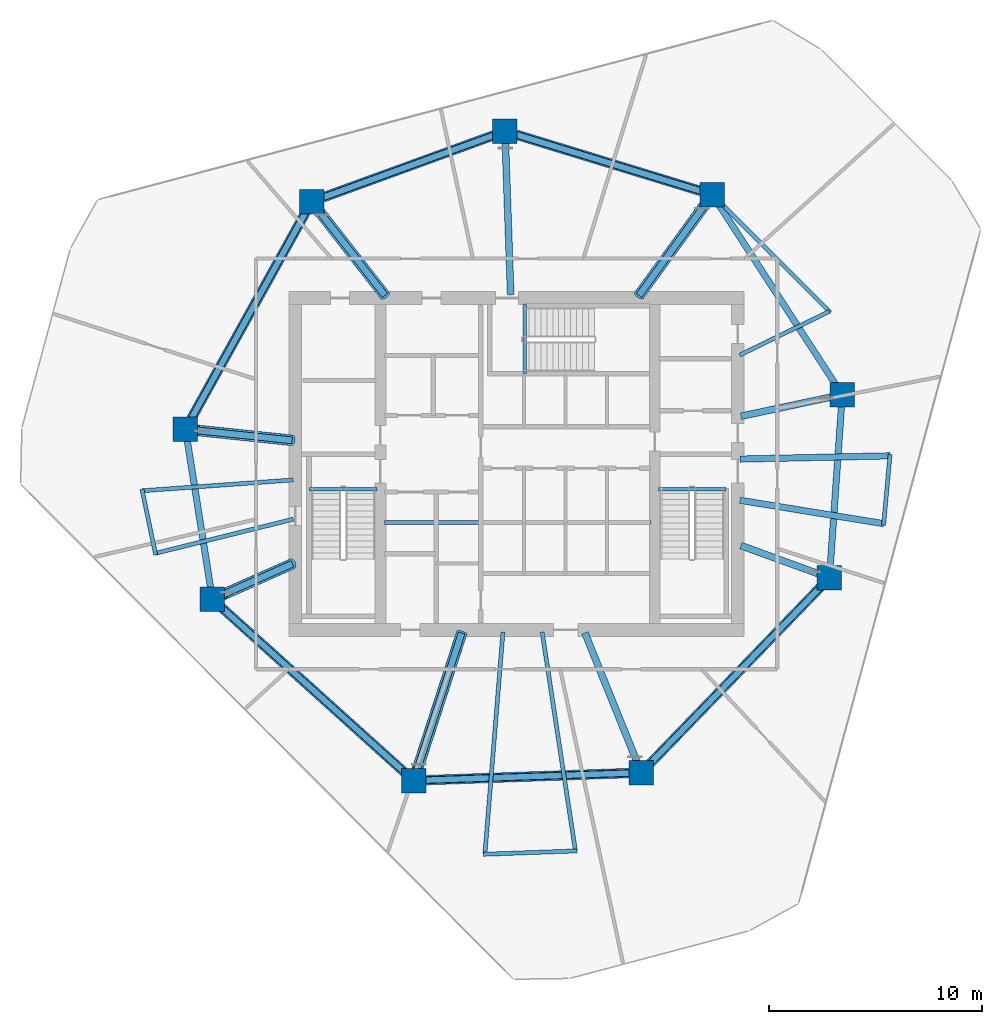
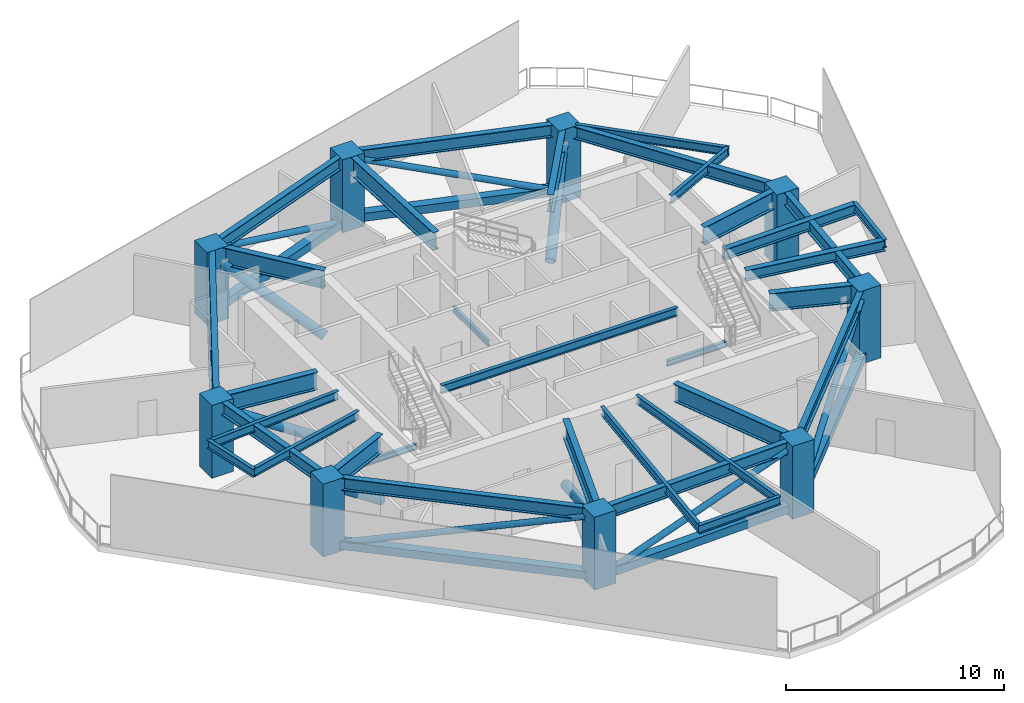
# One storey, part 1 of 7: 33 beams, 17 members, 9 columns.
"""IFC4 building model written with IfcOpenShell, lengths in metres."""

from ifc_helpers import new_model, si_unit, direction, frame, origin, origin_2d, place, context, subcontext, project, spatial, rectangle, hollow_rectangle, hollow_circle, i_section, extrude, material, material_profile, profile_set, type_object, element, save


model = new_model("IFC4")

# Units and contexts
model_context = context("Model", 3, precision=1e-05, world=origin(), true_north=direction((0.0, 1.0)))
body_context = subcontext(model_context, "Body", "Model", "MODEL_VIEW")
ifc_project = project(units=[si_unit("LENGTHUNIT", "METRE"), si_unit("AREAUNIT", "SQUARE_METRE"), si_unit("VOLUMEUNIT", "CUBIC_METRE"), si_unit("PLANEANGLEUNIT", "RADIAN"), si_unit("MASSUNIT", "GRAM", prefix="KILO")], contexts=[model_context])

# Site, building, storey
site_placement = place(None, origin())
site = spatial("IfcSite", under=ifc_project, at=site_placement, CompositionType="ELEMENT")
building_placement = place(site_placement, origin())
building = spatial("IfcBuilding", under=site, at=building_placement, Name="Qarnah Convention Tower", CompositionType="ELEMENT")
storey_placement = place(building_placement, frame((0.0, 0.0, 121.199951171875)))
storey = spatial("IfcBuildingStorey", under=building, at=storey_placement, Name="L32", CompositionType="ELEMENT", Elevation=121.199951171875)

# Columns
ifc_material_1 = material(Name="Concrete C60/75", Category="concrete")
ifc_material_profile_1 = material_profile(ifc_material_1, rectangle(XDim=1.14990234375, YDim=1.14990234375, at=origin_2d()), Name="RC-COL-1150X1150")
ifc_profile_set_1 = profile_set([ifc_material_profile_1], Name="Concrete C60/75")
column_type = type_object("IfcColumnType", Name="COL-Z2-1150", PredefinedType="COLUMN", material=ifc_profile_set_1)
for number, where, z_axis, x_axis, name in (
    (1, (52.508056640625, 29.654052734375, 0.0), (0.0, 0.0, 1.0), (1.0, 0.0, 0.0), "L32 plumb column PC-Z2-01"),
    (2, (46.39892578125, 39.06103515625, 0.0), (0.0, 0.0, 1.0), (1.0, 0.0, 0.0), "L32 plumb column PC-Z2-02"),
    (3, (36.654052734375, 42.0400390625, 0.0), (0.0, 0.0, 1.0), (1.0, 0.0, 0.0), "L32 plumb column PC-Z2-03"),
    (4, (27.56494140625, 38.73193359375, 0.0), (0.0, 0.0, 1.0), (1.0, 0.0, 0.0), "L32 plumb column PC-Z2-04"),
    (5, (21.635986328125, 28.035888671875, 0.0), (0.0, 0.0, 1.0), (1.0, 0.0, 0.0), "L32 plumb column PC-Z2-05"),
    (6, (22.903076171875, 20.034912109375, 0.0), (0.0, 0.0, 1.0), (1.0, 0.0, 0.0), "L32 plumb column PC-Z2-06"),
    (7, (32.364013671875, 11.51611328125, 0.0), (0.0, 0.0, 1.0), (1.0, 0.0, 0.0), "L32 plumb column PC-Z2-07"),
    (8, (43.06298828125, 11.889892578125, 0.0), (0.0, 0.0, 1.0), (1.0, 0.0, 0.0), "L32 plumb column PC-Z2-08"),
    (9, (51.906005859375, 21.047119140625, 0.0), (0.0, 0.0, 1.0), (1.0, 0.0, 0.0), "L32 plumb column PC-Z2-09"),
):
    element("IfcColumn", number, at=place(storey_placement, frame(where, z_axis=z_axis, x_axis=x_axis)), inside=storey, type_object=column_type, Name=name, PredefinedType="COLUMN", context=body_context, shape_type="SweptSolid", body=[
        extrude(rectangle(XDim=1.14990234375, YDim=1.14990234375, at=origin_2d()), origin(), (0.0, 0.0, 1.0), 4.080078125),
    ])

# Beams
ifc_material_2 = material(Name="Structural steel S355JR", Category="steel")
ifc_material_profile_2 = material_profile(ifc_material_2, i_section(OverallWidth=0.300048828125, OverallDepth=0.60009765625, WebThickness=0.01611328125, FlangeThickness=0.030029296875, at=origin_2d()), Name="HEB600")
ifc_profile_set_2 = profile_set([ifc_material_profile_2], Name="Structural steel S355JR")
beam_type_1 = type_object("IfcBeamType", Name="BM-CANT-HEB600", PredefinedType="BEAM", material=ifc_profile_set_2)
beam_1_placement = place(storey_placement, frame((47.698974609375, 24.69091796875, 3.780029296875), z_axis=(0.987033036495, -0.160517241654, 0.0), x_axis=(0.160517241654, 0.987033036495, 0.0)))
element("IfcBeam", 10, at=beam_1_placement, inside=storey, type_object=beam_type_1, Name="L32 beam BM-L32-CNT-04-1", PredefinedType="BEAM", context=body_context, shape_type="SweptSolid", body=[
    extrude(i_section(OverallWidth=0.300048828125, OverallDepth=0.60009765625, WebThickness=0.01611328125, FlangeThickness=0.030029296875, at=origin_2d()), origin(), (0.0, 0.0, 1.0), 6.845947265625),
])
beam_2_placement = place(storey_placement, frame((47.699951171875, 26.6279296875, 3.780029296875), z_axis=(0.99976729235, 0.021572230912, 0.0), x_axis=(-0.021572230912, 0.99976729235, 0.0)))
element("IfcBeam", 11, at=beam_2_placement, inside=storey, type_object=beam_type_1, Name="L32 beam BM-L32-CNT-04-2", PredefinedType="BEAM", context=body_context, shape_type="SweptSolid", body=[
    extrude(i_section(OverallWidth=0.300048828125, OverallDepth=0.60009765625, WebThickness=0.01611328125, FlangeThickness=0.030029296875, at=origin_2d()), origin(), (0.0, 0.0, 1.0), 7.05078125),
])
ifc_material_profile_3 = material_profile(ifc_material_2, i_section(OverallWidth=0.19189453125, OverallDepth=0.464111328125, WebThickness=0.010986328125, FlangeThickness=0.01806640625, at=origin_2d()), Name="W460X89")
ifc_profile_set_3 = profile_set([ifc_material_profile_3], Name="Structural steel S355JR")
beam_type_2 = type_object("IfcBeamType", Name="BM-CANT-W460A", PredefinedType="BEAM", material=ifc_profile_set_3)
beam_3_placement = place(storey_placement, frame((30.97998046875, 23.64990234375, 3.84814453125), z_axis=(1.0, 0.0, 0.0), x_axis=(0.0, 1.0, 0.0)))
element("IfcBeam", 12, at=beam_3_placement, inside=storey, type_object=beam_type_2, Name="L32 beam BM-L32-KC1", PredefinedType="BEAM", context=body_context, shape_type="SweptSolid", body=[
    extrude(i_section(OverallWidth=0.19189453125, OverallDepth=0.464111328125, WebThickness=0.010986328125, FlangeThickness=0.01806640625, at=origin_2d()), origin(), (0.0, 0.0, 1.0), 12.5400390625),
])
beam_4_placement = place(storey_placement, frame((47.68994140625, 31.51611328125, 3.84814453125), z_axis=(0.898872044655, 0.438211190339, 0.0), x_axis=(-0.438211190339, 0.898872044655, 0.0)))
element("IfcBeam", 13, at=beam_4_placement, inside=storey, type_object=beam_type_2, Name="L32 beam BM-L32-CNT-01-2", PredefinedType="BEAM", context=body_context, shape_type="SweptSolid", body=[
    extrude(i_section(OverallWidth=0.19189453125, OverallDepth=0.464111328125, WebThickness=0.010986328125, FlangeThickness=0.01806640625, at=origin_2d()), origin(), (0.0, 0.0, 1.0), 4.687255859375),
])
beam_5_placement = place(storey_placement, frame((51.952880859375, 33.52099609375, 3.84814453125), z_axis=(-0.707978220507, 0.706234266577, 0.0), x_axis=(-0.706234266577, -0.707978220507, 0.0)))
element("IfcBeam", 14, at=beam_5_placement, inside=storey, type_object=beam_type_2, Name="L32 spandrel BM-L32-CTIE-01", PredefinedType="SPANDREL", context=body_context, shape_type="SweptSolid", body=[
    extrude(i_section(OverallWidth=0.19189453125, OverallDepth=0.464111328125, WebThickness=0.010986328125, FlangeThickness=0.01806640625, at=origin_2d()), origin(), (0.0, 0.0, 1.0), 7.279541015625),
])
beam_6_placement = place(storey_placement, frame((26.699951171875, 25.64794921875, 3.84814453125), z_axis=(-0.997435472078, -0.071571496, 0.0), x_axis=(0.071571496, -0.997435472078, 0.0)))
element("IfcBeam", 15, at=beam_6_placement, inside=storey, type_object=beam_type_2, Name="L32 beam BM-L32-CNT-02-1", PredefinedType="BEAM", context=body_context, shape_type="SweptSolid", body=[
    extrude(i_section(OverallWidth=0.19189453125, OverallDepth=0.464111328125, WebThickness=0.010986328125, FlangeThickness=0.01806640625, at=origin_2d()), origin(), (0.0, 0.0, 1.0), 7.1123046875),
])
beam_7_placement = place(storey_placement, frame((26.702880859375, 23.802001953125, 3.84814453125), z_axis=(-0.970746071827, -0.240108442237, 0.0), x_axis=(0.240108442237, -0.970746071827, 0.0)))
element("IfcBeam", 16, at=beam_7_placement, inside=storey, type_object=beam_type_2, Name="L32 beam BM-L32-CNT-02-2", PredefinedType="BEAM", context=body_context, shape_type="SweptSolid", body=[
    extrude(i_section(OverallWidth=0.19189453125, OverallDepth=0.464111328125, WebThickness=0.010986328125, FlangeThickness=0.01806640625, at=origin_2d()), origin(), (0.0, 0.0, 1.0), 6.67626953125),
])
beam_8_placement = place(storey_placement, frame((19.592041015625, 25.2080078125, 3.84814453125), z_axis=(0.204797426564, -0.97880437988, 0.0), x_axis=(0.97880437988, 0.204797426564, 0.0)))
element("IfcBeam", 17, at=beam_8_placement, inside=storey, type_object=beam_type_2, Name="L32 spandrel BM-L32-CTIE-02", PredefinedType="SPANDREL", context=body_context, shape_type="SweptSolid", body=[
    extrude(i_section(OverallWidth=0.19189453125, OverallDepth=0.464111328125, WebThickness=0.010986328125, FlangeThickness=0.01806640625, at=origin_2d()), origin(), (0.0, 0.0, 1.0), 3.144775390625),
])
beam_9_placement = place(storey_placement, frame((38.40087890625, 18.5009765625, 3.84814453125), z_axis=(0.150335373551, -0.988635056762, 0.0), x_axis=(0.988635056762, 0.150335373551, 0.0)))
element("IfcBeam", 18, at=beam_9_placement, inside=storey, type_object=beam_type_2, Name="L32 beam BM-L32-CNT-03-1", PredefinedType="BEAM", context=body_context, shape_type="SweptSolid", body=[
    extrude(i_section(OverallWidth=0.19189453125, OverallDepth=0.464111328125, WebThickness=0.010986328125, FlangeThickness=0.01806640625, at=origin_2d()), origin(), (0.0, 0.0, 1.0), 10.411376953125),
])
beam_10_placement = place(storey_placement, frame((36.55908203125, 18.5, 3.84814453125), z_axis=(-0.081026671921, -0.996711933528, 0.0), x_axis=(0.996711933528, -0.081026671921, 0.0)))
element("IfcBeam", 19, at=beam_10_placement, inside=storey, type_object=beam_type_2, Name="L32 beam BM-L32-CNT-03-2", PredefinedType="BEAM", context=body_context, shape_type="SweptSolid", body=[
    extrude(i_section(OverallWidth=0.19189453125, OverallDepth=0.464111328125, WebThickness=0.010986328125, FlangeThickness=0.01806640625, at=origin_2d()), origin(), (0.0, 0.0, 1.0), 10.4794921875),
])
beam_11_placement = place(storey_placement, frame((40.035888671875, 8.2109375, 3.84814453125), z_axis=(-0.999347061952, -0.036131008404, 0.0), x_axis=(0.036131008404, -0.999347061952, 0.0)))
element("IfcBeam", 20, at=beam_11_placement, inside=storey, type_object=beam_type_2, Name="L32 spandrel BM-L32-CTIE-03", PredefinedType="SPANDREL", context=body_context, shape_type="SweptSolid", body=[
    extrude(i_section(OverallWidth=0.19189453125, OverallDepth=0.464111328125, WebThickness=0.010986328125, FlangeThickness=0.01806640625, at=origin_2d()), origin(), (0.0, 0.0, 1.0), 4.39892578125),
])
beam_12_placement = place(storey_placement, frame((54.449951171875, 23.52197265625, 3.84814453125), z_axis=(0.09124048423, 0.995828887931, 0.0), x_axis=(-0.995828887931, 0.09124048423, 0.0)))
element("IfcBeam", 21, at=beam_12_placement, inside=storey, type_object=beam_type_2, Name="L32 spandrel BM-L32-CTIE-04", PredefinedType="SPANDREL", context=body_context, shape_type="SweptSolid", body=[
    extrude(i_section(OverallWidth=0.19189453125, OverallDepth=0.464111328125, WebThickness=0.010986328125, FlangeThickness=0.01806640625, at=origin_2d()), origin(), (0.0, 0.0, 1.0), 3.342041015625),
])
ifc_material_profile_4 = material_profile(ifc_material_2, i_section(OverallWidth=0.166015625, OverallDepth=0.31201171875, WebThickness=0.007080078125, FlangeThickness=0.010986328125, at=origin_2d()), Name="W310X45")
ifc_profile_set_4 = profile_set([ifc_material_profile_4], Name="Structural steel S355JR")
beam_type_3 = type_object("IfcBeamType", Name="BM-JST-W310", PredefinedType="JOIST", material=ifc_profile_set_4)
for number, where, z_axis, x_axis, name in (
    (22, (27.4599609375, 25.217041015625, -0.156005859375), (1.0, 0.0, 0.0), (0.0, 1.0, 0.0), "L32 stair landing trimmer beam BM-L32-ST1-TRM"),
    (23, (43.860107421875, 25.217041015625, -0.156005859375), (1.0, 0.0, 0.0), (0.0, 1.0, 0.0), "L32 stair landing trimmer beam BM-L32-ST2-TRM"),
):
    element("IfcBeam", number, at=place(storey_placement, frame(where, z_axis=z_axis, x_axis=x_axis)), inside=storey, type_object=beam_type_3, Name=name, PredefinedType="BEAM", context=body_context, shape_type="SweptSolid", body=[
        extrude(i_section(OverallWidth=0.166015625, OverallDepth=0.31201171875, WebThickness=0.007080078125, FlangeThickness=0.010986328125, at=origin_2d()), origin(), (0.0, 0.0, 1.0), 3.179931640625),
    ])
beam_13_placement = place(storey_placement, frame((37.5830078125, 30.659912109375, -0.156005859375), z_axis=(0.0, 1.0, 0.0), x_axis=(-1.0, 0.0, 0.0)))
element("IfcBeam", 24, at=beam_13_placement, inside=storey, type_object=beam_type_3, Name="L32 stair landing trimmer beam BM-L32-ST3-TRM", PredefinedType="BEAM", context=body_context, shape_type="SweptSolid", body=[
    extrude(i_section(OverallWidth=0.166015625, OverallDepth=0.31201171875, WebThickness=0.007080078125, FlangeThickness=0.010986328125, at=origin_2d()), origin(), (0.0, 0.0, 1.0), 3.239990234375),
])
ifc_material_profile_5 = material_profile(ifc_material_2, i_section(OverallWidth=0.300048828125, OverallDepth=0.699951171875, WebThickness=0.01708984375, FlangeThickness=0.031982421875, at=origin_2d()), Name="HEB700")
ifc_profile_set_5 = profile_set([ifc_material_profile_5], Name="Structural steel S355JR")
beam_type_4 = type_object("IfcBeamType", Name="BM-RING-HEB700", PredefinedType="BEAM", material=ifc_profile_set_5)
beam_14_placement = place(storey_placement, frame((52.199951171875, 30.1279296875, 3.72998046875), z_axis=(-0.544610528714, 0.838689079465, 0.0), x_axis=(-0.838689079465, -0.544610528714, 0.0)))
element("IfcBeam", 25, at=beam_14_placement, inside=storey, type_object=beam_type_4, Name="L32 beam BM-L32-SPN-01", PredefinedType="BEAM", context=body_context, shape_type="SweptSolid", body=[
    extrude(i_section(OverallWidth=0.300048828125, OverallDepth=0.699951171875, WebThickness=0.01708984375, FlangeThickness=0.031982421875, at=origin_2d()), origin(), (0.0, 0.0, 1.0), 10.0859375),
])
beam_15_placement = place(storey_placement, frame((45.85888671875, 39.22607421875, 3.72998046875), z_axis=(-0.956309936148, 0.292354760565, 0.0), x_axis=(-0.292354760565, -0.956309936148, 0.0)))
element("IfcBeam", 26, at=beam_15_placement, inside=storey, type_object=beam_type_4, Name="L32 beam BM-L32-SPN-02", PredefinedType="BEAM", context=body_context, shape_type="SweptSolid", body=[
    extrude(i_section(OverallWidth=0.300048828125, OverallDepth=0.699951171875, WebThickness=0.01708984375, FlangeThickness=0.031982421875, at=origin_2d()), origin(), (0.0, 0.0, 1.0), 9.060546875),
])
beam_16_placement = place(storey_placement, frame((36.123046875, 41.846923828125, 3.72998046875), z_axis=(-0.939683226771, -0.342045952067, 0.0), x_axis=(0.342045952067, -0.939683226771, 0.0)))
element("IfcBeam", 27, at=beam_16_placement, inside=storey, type_object=beam_type_4, Name="L32 beam BM-L32-SPN-03", PredefinedType="BEAM", context=body_context, shape_type="SweptSolid", body=[
    extrude(i_section(OverallWidth=0.300048828125, OverallDepth=0.699951171875, WebThickness=0.01708984375, FlangeThickness=0.031982421875, at=origin_2d()), origin(), (0.0, 0.0, 1.0), 8.542236328125),
])
beam_17_placement = place(storey_placement, frame((27.291015625, 38.238037109375, 3.72998046875), z_axis=(-0.484800448222, -0.874624791212, 0.0), x_axis=(0.874624791212, -0.484800448222, 0.0)))
element("IfcBeam", 28, at=beam_17_placement, inside=storey, type_object=beam_type_4, Name="L32 beam BM-L32-SPN-04", PredefinedType="BEAM", context=body_context, shape_type="SweptSolid", body=[
    extrude(i_section(OverallWidth=0.300048828125, OverallDepth=0.699951171875, WebThickness=0.01708984375, FlangeThickness=0.031982421875, at=origin_2d()), origin(), (0.0, 0.0, 1.0), 11.099609375),
])
beam_18_placement = place(storey_placement, frame((21.72412109375, 27.47802734375, 3.72998046875), z_axis=(0.156482310627, -0.987680761411, 0.0), x_axis=(0.987680761411, 0.156482310627, 0.0)))
element("IfcBeam", 29, at=beam_18_placement, inside=storey, type_object=beam_type_4, Name="L32 beam BM-L32-SPN-05", PredefinedType="BEAM", context=body_context, shape_type="SweptSolid", body=[
    extrude(i_section(OverallWidth=0.300048828125, OverallDepth=0.699951171875, WebThickness=0.01708984375, FlangeThickness=0.031982421875, at=origin_2d()), origin(), (0.0, 0.0, 1.0), 6.970947265625),
])
beam_19_placement = place(storey_placement, frame((23.322998046875, 19.656982421875, 3.72998046875), z_axis=(0.743124603424, -0.669153064541, 0.0), x_axis=(0.669153064541, 0.743124603424, 0.0)))
element("IfcBeam", 30, at=beam_19_placement, inside=storey, type_object=beam_type_4, Name="L32 beam BM-L32-SPN-06", PredefinedType="BEAM", context=body_context, shape_type="SweptSolid", body=[
    extrude(i_section(OverallWidth=0.300048828125, OverallDepth=0.699951171875, WebThickness=0.01708984375, FlangeThickness=0.031982421875, at=origin_2d()), origin(), (0.0, 0.0, 1.0), 11.60107421875),
])
beam_20_placement = place(storey_placement, frame((32.928955078125, 11.535888671875, 3.72998046875), z_axis=(0.999390577592, 0.03490663862, 0.0), x_axis=(-0.03490663862, 0.999390577592, 0.0)))
element("IfcBeam", 31, at=beam_20_placement, inside=storey, type_object=beam_type_4, Name="L32 beam BM-L32-SPN-07", PredefinedType="BEAM", context=body_context, shape_type="SweptSolid", body=[
    extrude(i_section(OverallWidth=0.300048828125, OverallDepth=0.699951171875, WebThickness=0.01708984375, FlangeThickness=0.031982421875, at=origin_2d()), origin(), (0.0, 0.0, 1.0), 9.574951171875),
])
beam_21_placement = place(storey_placement, frame((43.455078125, 12.2958984375, 3.72998046875), z_axis=(0.694656478954, 0.719341626939, 0.0), x_axis=(-0.719341626939, 0.694656478954, 0.0)))
element("IfcBeam", 32, at=beam_21_placement, inside=storey, type_object=beam_type_4, Name="L32 beam BM-L32-SPN-08", PredefinedType="BEAM", context=body_context, shape_type="SweptSolid", body=[
    extrude(i_section(OverallWidth=0.300048828125, OverallDepth=0.699951171875, WebThickness=0.01708984375, FlangeThickness=0.031982421875, at=origin_2d()), origin(), (0.0, 0.0, 1.0), 11.60107421875),
])
beam_22_placement = place(storey_placement, frame((51.945068359375, 21.611083984375, 3.72998046875), z_axis=(0.069881623509, 0.997555291047, 0.0), x_axis=(-0.997555291047, 0.069881623509, 0.0)))
element("IfcBeam", 33, at=beam_22_placement, inside=storey, type_object=beam_type_4, Name="L32 beam BM-L32-SPN-09", PredefinedType="BEAM", context=body_context, shape_type="SweptSolid", body=[
    extrude(i_section(OverallWidth=0.300048828125, OverallDepth=0.699951171875, WebThickness=0.01708984375, FlangeThickness=0.031982421875, at=origin_2d()), origin(), (0.0, 0.0, 1.0), 7.497314453125),
])
ifc_material_profile_6 = material_profile(ifc_material_2, i_section(OverallWidth=0.320068359375, OverallDepth=1.0, WebThickness=0.02197265625, FlangeThickness=0.033935546875, at=origin_2d()), Name="W1000X371")
ifc_profile_set_6 = profile_set([ifc_material_profile_6], Name="Structural steel S355JR")
beam_type_5 = type_object("IfcBeamType", Name="BM-TG-W1000B", PredefinedType="USERDEFINED", material=ifc_profile_set_6)
beam_23_placement = place(storey_placement, frame((47.7470703125, 28.64208984375, 3.580078125), z_axis=(0.978128480765, 0.20800162287, 0.0), x_axis=(-0.20800162287, 0.978128480765, 0.0)))
element("IfcBeam", 34, at=beam_23_placement, inside=storey, type_object=beam_type_5, Name="L32 transfer girder BM-L32-TG-01", ObjectType="TRANSFER_GIRDER", PredefinedType="USERDEFINED", context=body_context, shape_type="SweptSolid", body=[
    extrude(i_section(OverallWidth=0.320068359375, OverallDepth=1.0, WebThickness=0.02197265625, FlangeThickness=0.033935546875, at=origin_2d()), origin(), (0.0, 0.0, 1.0), 4.312255859375),
])
beam_24_placement = place(storey_placement, frame((42.955078125, 34.321044921875, 3.580078125), z_axis=(0.587824069471, 0.808988790621, 0.0), x_axis=(-0.808988790621, 0.587824069471, 0.0)))
element("IfcBeam", 35, at=beam_24_placement, inside=storey, type_object=beam_type_5, Name="L32 transfer girder BM-L32-TG-02", ObjectType="TRANSFER_GIRDER", PredefinedType="USERDEFINED", context=body_context, shape_type="SweptSolid", body=[
    extrude(i_section(OverallWidth=0.320068359375, OverallDepth=1.0, WebThickness=0.02197265625, FlangeThickness=0.033935546875, at=origin_2d()), origin(), (0.0, 0.0, 1.0), 5.30419921875),
])
beam_25_placement = place(storey_placement, frame((36.923095703125, 34.35009765625, 3.580078125), z_axis=(-0.035017005912, 0.99938671659, 0.0), x_axis=(-0.99938671659, -0.035017005912, 0.0)))
element("IfcBeam", 36, at=beam_25_placement, inside=storey, type_object=beam_type_5, Name="L32 transfer girder BM-L32-TG-03", ObjectType="TRANSFER_GIRDER", PredefinedType="USERDEFINED", context=body_context, shape_type="SweptSolid", body=[
    extrude(i_section(OverallWidth=0.320068359375, OverallDepth=1.0, WebThickness=0.02197265625, FlangeThickness=0.033935546875, at=origin_2d()), origin(), (0.0, 0.0, 1.0), 7.139404296875),
])
beam_26_placement = place(storey_placement, frame((31.013916015625, 34.318115234375, 3.580078125), z_axis=(-0.61565061353, 0.788019239651, 0.0), x_axis=(-0.788019239651, -0.61565061353, 0.0)))
element("IfcBeam", 37, at=beam_26_placement, inside=storey, type_object=beam_type_5, Name="L32 transfer girder BM-L32-TG-04", ObjectType="TRANSFER_GIRDER", PredefinedType="USERDEFINED", context=body_context, shape_type="SweptSolid", body=[
    extrude(i_section(OverallWidth=0.320068359375, OverallDepth=1.0, WebThickness=0.02197265625, FlangeThickness=0.033935546875, at=origin_2d()), origin(), (0.0, 0.0, 1.0), 5.046630859375),
])
beam_27_placement = place(storey_placement, frame((26.65087890625, 27.509033203125, 3.580078125), z_axis=(-0.994523622606, 0.104512028393, 0.0), x_axis=(-0.104512028393, -0.994523622606, 0.0)))
element("IfcBeam", 38, at=beam_27_placement, inside=storey, type_object=beam_type_5, Name="L32 transfer girder BM-L32-TG-05", ObjectType="TRANSFER_GIRDER", PredefinedType="USERDEFINED", context=body_context, shape_type="SweptSolid", body=[
    extrude(i_section(OverallWidth=0.320068359375, OverallDepth=1.0, WebThickness=0.02197265625, FlangeThickness=0.033935546875, at=origin_2d()), origin(), (0.0, 0.0, 1.0), 4.487548828125),
])
beam_28_placement = place(storey_placement, frame((26.6630859375, 21.708984375, 3.580078125), z_axis=(-0.913588053958, -0.4066409567, 0.0), x_axis=(0.4066409567, -0.913588053958, 0.0)))
element("IfcBeam", 39, at=beam_28_placement, inside=storey, type_object=beam_type_5, Name="L32 transfer girder BM-L32-TG-06", ObjectType="TRANSFER_GIRDER", PredefinedType="USERDEFINED", context=body_context, shape_type="SweptSolid", body=[
    extrude(i_section(OverallWidth=0.320068359375, OverallDepth=1.0, WebThickness=0.02197265625, FlangeThickness=0.033935546875, at=origin_2d()), origin(), (0.0, 0.0, 1.0), 3.560791015625),
])
beam_29_placement = place(storey_placement, frame((34.6201171875, 18.45703125, 3.580078125), z_axis=(-0.30908279771, -0.951035132979, 0.0), x_axis=(0.951035132979, -0.30908279771, 0.0)))
element("IfcBeam", 40, at=beam_29_placement, inside=storey, type_object=beam_type_5, Name="L32 transfer girder BM-L32-TG-07", ObjectType="TRANSFER_GIRDER", PredefinedType="USERDEFINED", context=body_context, shape_type="SweptSolid", body=[
    extrude(i_section(OverallWidth=0.320068359375, OverallDepth=1.0, WebThickness=0.02197265625, FlangeThickness=0.033935546875, at=origin_2d()), origin(), (0.0, 0.0, 1.0), 6.7431640625),
])
beam_30_placement = place(storey_placement, frame((40.407958984375, 18.4609375, 3.580078125), z_axis=(0.374642886347, -0.927169190445, 0.0), x_axis=(0.927169190445, 0.374642886347, 0.0)))
element("IfcBeam", 41, at=beam_30_placement, inside=storey, type_object=beam_type_5, Name="L32 transfer girder BM-L32-TG-08", ObjectType="TRANSFER_GIRDER", PredefinedType="USERDEFINED", context=body_context, shape_type="SweptSolid", body=[
    extrude(i_section(OverallWidth=0.320068359375, OverallDepth=1.0, WebThickness=0.02197265625, FlangeThickness=0.033935546875, at=origin_2d()), origin(), (0.0, 0.0, 1.0), 6.531494140625),
])
beam_31_placement = place(storey_placement, frame((47.740966796875, 22.56298828125, 3.580078125), z_axis=(0.93969593668, -0.342011032845, 0.0), x_axis=(0.342011032845, 0.93969593668, 0.0)))
element("IfcBeam", 42, at=beam_31_placement, inside=storey, type_object=beam_type_5, Name="L32 transfer girder BM-L32-TG-09", ObjectType="TRANSFER_GIRDER", PredefinedType="USERDEFINED", context=body_context, shape_type="SweptSolid", body=[
    extrude(i_section(OverallWidth=0.320068359375, OverallDepth=1.0, WebThickness=0.02197265625, FlangeThickness=0.033935546875, at=origin_2d()), origin(), (0.0, 0.0, 1.0), 3.876953125),
])

# Members
ifc_material_profile_7 = material_profile(ifc_material_2, hollow_circle(Radius=0.162109375, WallThickness=0.011962890625, at=origin_2d()), Name="CHS324X12")
ifc_profile_set_7 = profile_set([ifc_material_profile_7], Name="Structural steel S355JR")
member_type_1 = type_object("IfcMemberType", Name="MBR-BRC-CHS324", PredefinedType="BRACE", material=ifc_profile_set_7)
member_1_placement = place(storey_placement, frame((45.85888671875, 39.22607421875, 0.35009765625), z_axis=(-0.902350568703, 0.275858771813, 0.331157650034), x_axis=(-0.292354760565, -0.956309936148, 0.0)))
element("IfcMember", 43, at=member_1_placement, inside=storey, type_object=member_type_1, Name="L32 belt truss diagonal 02", PredefinedType="BRACE", context=body_context, shape_type="SweptSolid", body=[
    extrude(hollow_circle(Radius=0.162109375, WallThickness=0.011962890625, at=origin_2d()), origin(), (0.0, 0.0, 1.0), 9.6025390625),
])
member_2_placement = place(storey_placement, frame((36.123046875, 41.846923828125, 0.35009765625), z_axis=(-0.880645005902, -0.320555960663, 0.348867094555), x_axis=(0.342045952067, -0.939683226771, 0.0)))
element("IfcMember", 44, at=member_2_placement, inside=storey, type_object=member_type_1, Name="L32 belt truss diagonal 03", PredefinedType="BRACE", context=body_context, shape_type="SweptSolid", body=[
    extrude(hollow_circle(Radius=0.162109375, WallThickness=0.011962890625, at=origin_2d()), origin(), (0.0, 0.0, 1.0), 9.114990234375),
])
member_3_placement = place(storey_placement, frame((27.291015625, 38.238037109375, 0.35009765625), z_axis=(-0.466051625759, -0.840800183598, 0.275410481626), x_axis=(0.874624791212, -0.484800448222, 0.0)))
element("IfcMember", 45, at=member_3_placement, inside=storey, type_object=member_type_1, Name="L32 belt truss diagonal 04", PredefinedType="BRACE", context=body_context, shape_type="SweptSolid", body=[
    extrude(hollow_circle(Radius=0.162109375, WallThickness=0.011962890625, at=origin_2d()), origin(), (0.0, 0.0, 1.0), 11.546142578125),
])
member_4_placement = place(storey_placement, frame((23.322998046875, 19.656982421875, 0.35009765625), z_axis=(0.716688483596, -0.645348428662, 0.264353973121), x_axis=(0.669153064541, 0.743124603424, 0.0)))
element("IfcMember", 46, at=member_4_placement, inside=storey, type_object=member_type_1, Name="L32 belt truss diagonal 06", PredefinedType="BRACE", context=body_context, shape_type="SweptSolid", body=[
    extrude(hollow_circle(Radius=0.162109375, WallThickness=0.011962890625, at=origin_2d()), origin(), (0.0, 0.0, 1.0), 12.029052734375),
])
member_5_placement = place(storey_placement, frame((32.928955078125, 11.535888671875, 0.35009765625), z_axis=(0.948452577908, 0.033127480014, 0.315182927089), x_axis=(-0.03490663862, 0.999390577592, 0.0)))
element("IfcMember", 47, at=member_5_placement, inside=storey, type_object=member_type_1, Name="L32 belt truss diagonal 07", PredefinedType="BRACE", context=body_context, shape_type="SweptSolid", body=[
    extrude(hollow_circle(Radius=0.162109375, WallThickness=0.011962890625, at=origin_2d()), origin(), (0.0, 0.0, 1.0), 10.089111328125),
])
member_6_placement = place(storey_placement, frame((43.455078125, 12.2958984375, 0.35009765625), z_axis=(0.669944750201, 0.69375174805, 0.264353066478), x_axis=(-0.719341626939, 0.694656478954, 0.0)))
element("IfcMember", 48, at=member_6_placement, inside=storey, type_object=member_type_1, Name="L32 belt truss diagonal 08", PredefinedType="BRACE", context=body_context, shape_type="SweptSolid", body=[
    extrude(hollow_circle(Radius=0.162109375, WallThickness=0.011962890625, at=origin_2d()), origin(), (0.0, 0.0, 1.0), 12.029052734375),
])
ifc_material_profile_8 = material_profile(ifc_material_2, hollow_circle(Radius=0.25390625, WallThickness=0.02001953125, at=origin_2d()), Name="CHS508X20")
ifc_profile_set_8 = profile_set([ifc_material_profile_8], Name="Structural steel S355JR")
member_type_2 = type_object("IfcMemberType", Name="MBR-BRC-CHS508", PredefinedType="BRACE", material=ifc_profile_set_8)
member_7_placement = place(storey_placement, frame((42.955078125, 34.321044921875, 0.35009765625), z_axis=(0.521050101968, 0.71709158188, 0.46291084934), x_axis=(-0.808988790621, 0.587824069471, 0.0)))
element("IfcMember", 49, at=member_7_placement, inside=storey, type_object=member_type_2, Name="L32 outrigger truss diagonal 02", PredefinedType="BRACE", context=body_context, shape_type="SweptSolid", body=[
    extrude(hollow_circle(Radius=0.25390625, WallThickness=0.02001953125, at=origin_2d()), origin(), (0.0, 0.0, 1.0), 5.98388671875),
])
member_8_placement = place(storey_placement, frame((31.013916015625, 34.318115234375, 0.35009765625), z_axis=(-0.53969566936, 0.690798582288, 0.481171386497), x_axis=(-0.788019239651, -0.61565061353, 0.0)))
element("IfcMember", 50, at=member_8_placement, inside=storey, type_object=member_type_2, Name="L32 outrigger truss diagonal 04", PredefinedType="BRACE", context=body_context, shape_type="SweptSolid", body=[
    extrude(hollow_circle(Radius=0.25390625, WallThickness=0.02001953125, at=origin_2d()), origin(), (0.0, 0.0, 1.0), 5.7568359375),
])
member_9_placement = place(storey_placement, frame((26.65087890625, 27.509033203125, 0.35009765625), z_axis=(-0.846277834051, 0.088933245034, 0.525266318662), x_axis=(-0.104512028393, -0.994523622606, 0.0)))
element("IfcMember", 51, at=member_9_placement, inside=storey, type_object=member_type_2, Name="L32 outrigger truss diagonal 05", PredefinedType="BRACE", context=body_context, shape_type="SweptSolid", body=[
    extrude(hollow_circle(Radius=0.25390625, WallThickness=0.02001953125, at=origin_2d()), origin(), (0.0, 0.0, 1.0), 5.2734375),
])
member_10_placement = place(storey_placement, frame((26.6630859375, 21.708984375, 0.35009765625), z_axis=(-0.721098664283, -0.320963315412, 0.614002660034), x_axis=(0.4066409567, -0.913588053958, 0.0)))
element("IfcMember", 52, at=member_10_placement, inside=storey, type_object=member_type_2, Name="L32 outrigger truss diagonal 06", PredefinedType="BRACE", context=body_context, shape_type="SweptSolid", body=[
    extrude(hollow_circle(Radius=0.25390625, WallThickness=0.02001953125, at=origin_2d()), origin(), (0.0, 0.0, 1.0), 4.511474609375),
])
member_11_placement = place(storey_placement, frame((34.6201171875, 18.45703125, 0.35009765625), z_axis=(-0.285900821189, -0.879705138924, 0.379973142464), x_axis=(0.951035132979, -0.30908279771, 0.0)))
element("IfcMember", 53, at=member_11_placement, inside=storey, type_object=member_type_2, Name="L32 outrigger truss diagonal 07", PredefinedType="BRACE", context=body_context, shape_type="SweptSolid", body=[
    extrude(hollow_circle(Radius=0.25390625, WallThickness=0.02001953125, at=origin_2d()), origin(), (0.0, 0.0, 1.0), 7.2900390625),
])
ifc_material_profile_9 = material_profile(ifc_material_2, hollow_rectangle(XDim=0.449951171875, YDim=0.449951171875, WallThickness=0.01611328125, at=origin_2d()), Name="HSS450X450X16")
ifc_profile_set_9 = profile_set([ifc_material_profile_9], Name="Structural steel S355JR")
member_type_3 = type_object("IfcMemberType", Name="MBR-CHD-HSS450", PredefinedType="CHORD", material=ifc_profile_set_9)
member_12_placement = place(storey_placement, frame((45.85888671875, 39.22607421875, 0.35009765625), z_axis=(-0.956309936148, 0.292354760565, 0.0), x_axis=(-0.292354760565, -0.956309936148, 0.0)))
element("IfcMember", 54, at=member_12_placement, inside=storey, type_object=member_type_3, Name="L32 belt truss bottom chord 02", PredefinedType="CHORD", context=body_context, shape_type="SweptSolid", body=[
    extrude(hollow_rectangle(XDim=0.449951171875, YDim=0.449951171875, WallThickness=0.01611328125, at=origin_2d()), origin(), (0.0, 0.0, 1.0), 9.060546875),
])
member_13_placement = place(storey_placement, frame((36.123046875, 41.846923828125, 0.35009765625), z_axis=(-0.939683226771, -0.342045952067, 0.0), x_axis=(0.342045952067, -0.939683226771, 0.0)))
element("IfcMember", 55, at=member_13_placement, inside=storey, type_object=member_type_3, Name="L32 belt truss bottom chord 03", PredefinedType="CHORD", context=body_context, shape_type="SweptSolid", body=[
    extrude(hollow_rectangle(XDim=0.449951171875, YDim=0.449951171875, WallThickness=0.01611328125, at=origin_2d()), origin(), (0.0, 0.0, 1.0), 8.542236328125),
])
member_14_placement = place(storey_placement, frame((27.291015625, 38.238037109375, 0.35009765625), z_axis=(-0.484800448222, -0.874624791212, 0.0), x_axis=(0.874624791212, -0.484800448222, 0.0)))
element("IfcMember", 56, at=member_14_placement, inside=storey, type_object=member_type_3, Name="L32 belt truss bottom chord 04", PredefinedType="CHORD", context=body_context, shape_type="SweptSolid", body=[
    extrude(hollow_rectangle(XDim=0.449951171875, YDim=0.449951171875, WallThickness=0.01611328125, at=origin_2d()), origin(), (0.0, 0.0, 1.0), 11.099609375),
])
member_15_placement = place(storey_placement, frame((23.322998046875, 19.656982421875, 0.35009765625), z_axis=(0.743124603424, -0.669153064541, 0.0), x_axis=(0.669153064541, 0.743124603424, 0.0)))
element("IfcMember", 57, at=member_15_placement, inside=storey, type_object=member_type_3, Name="L32 belt truss bottom chord 06", PredefinedType="CHORD", context=body_context, shape_type="SweptSolid", body=[
    extrude(hollow_rectangle(XDim=0.449951171875, YDim=0.449951171875, WallThickness=0.01611328125, at=origin_2d()), origin(), (0.0, 0.0, 1.0), 11.60107421875),
])
member_16_placement = place(storey_placement, frame((32.928955078125, 11.535888671875, 0.35009765625), z_axis=(0.999390577592, 0.03490663862, 0.0), x_axis=(-0.03490663862, 0.999390577592, 0.0)))
element("IfcMember", 58, at=member_16_placement, inside=storey, type_object=member_type_3, Name="L32 belt truss bottom chord 07", PredefinedType="CHORD", context=body_context, shape_type="SweptSolid", body=[
    extrude(hollow_rectangle(XDim=0.449951171875, YDim=0.449951171875, WallThickness=0.01611328125, at=origin_2d()), origin(), (0.0, 0.0, 1.0), 9.574951171875),
])
member_17_placement = place(storey_placement, frame((43.455078125, 12.2958984375, 0.35009765625), z_axis=(0.694656478954, 0.719341626939, 0.0), x_axis=(-0.719341626939, 0.694656478954, 0.0)))
element("IfcMember", 59, at=member_17_placement, inside=storey, type_object=member_type_3, Name="L32 belt truss bottom chord 08", PredefinedType="CHORD", context=body_context, shape_type="SweptSolid", body=[
    extrude(hollow_rectangle(XDim=0.449951171875, YDim=0.449951171875, WallThickness=0.01611328125, at=origin_2d()), origin(), (0.0, 0.0, 1.0), 11.60107421875),
])

save(model, "model.ifc")
